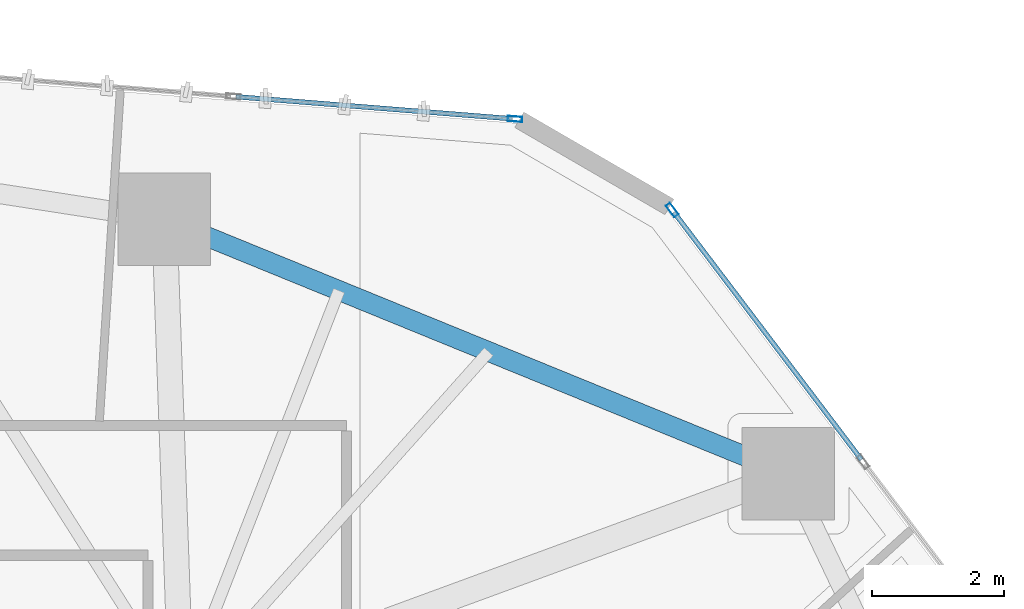
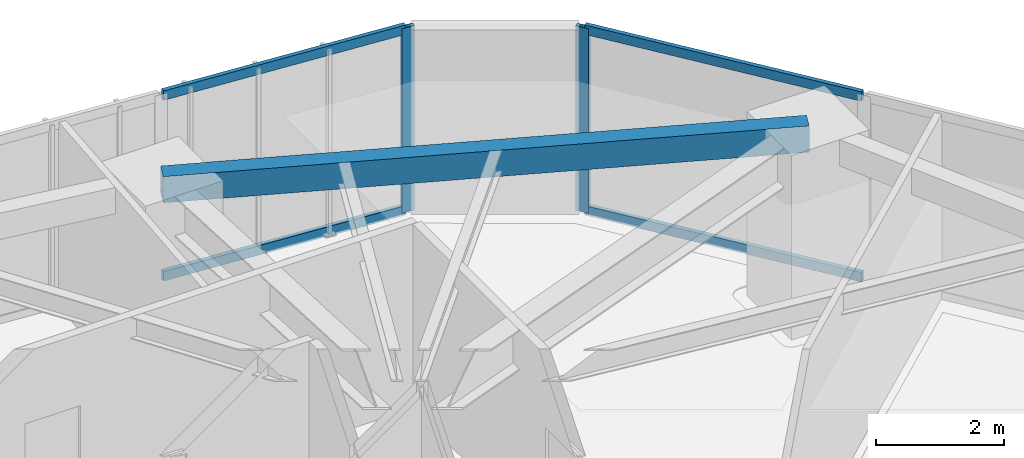
# One storey, part 16 of 23: 6 members, 1 beam, 2 elements without a shape of their own.
"""IFC4 building model written with IfcOpenShell, lengths in metres."""

from ifc_helpers import new_model, si_unit, direction, frame, origin, origin_2d, place, context, subcontext, project, spatial, hollow_rectangle, extrude, source, transform, mapped, material, layer, layer_set, material_profile, profile_set, type_object, type_shapes, element, aggregate, save


model = new_model("IFC4")

# Units and contexts
model_context = context("Model", 3, precision=1e-05, world=origin(), true_north=direction((0.0, 1.0)))
body_context = subcontext(model_context, "Body", "Model", "MODEL_VIEW")
ifc_project = project(units=[si_unit("LENGTHUNIT", "METRE"), si_unit("AREAUNIT", "SQUARE_METRE"), si_unit("VOLUMEUNIT", "CUBIC_METRE"), si_unit("PLANEANGLEUNIT", "RADIAN"), si_unit("MASSUNIT", "GRAM", prefix="KILO")], contexts=[model_context])

# Site, building, storey
site_placement = place(None, origin())
site = spatial("IfcSite", under=ifc_project, at=site_placement, CompositionType="ELEMENT")
building_placement = place(site_placement, origin())
building = spatial("IfcBuilding", under=site, at=building_placement, Name="Talar Marvaseh", CompositionType="ELEMENT")
storey_placement = place(building_placement, frame((0.0, 0.0, 77.199951171875)))
storey = spatial("IfcBuildingStorey", under=building, at=storey_placement, Name="L19", CompositionType="ELEMENT", Elevation=77.199951171875)

# Beam
ifc_material_1 = material(Name="Steel S355", Category="steel")
ifc_material_profile_1 = material_profile(ifc_material_1, hollow_rectangle(XDim=0.300048828125, YDim=0.5, WallThickness=0.02001953125, at=origin_2d()), Name="RHS500x300x20")
ifc_profile_set_1 = profile_set([ifc_material_profile_1], Name="Steel S355")
beam_type = type_object("IfcBeamType", Name="Zone 1 Perimeter Spandrel Beam RHS500x300x20", PredefinedType="SPANDREL", material=ifc_profile_set_1)
beam_placement = place(storey_placement, frame((33.0458984375, 44.117919921875, 3.27001953125), z_axis=(0.92586732306, -0.377848779395, 0.0), x_axis=(0.377848779395, 0.92586732306, 0.0)))
element("IfcBeam", 1, at=beam_placement, inside=storey, type_object=beam_type, Name="L19 Zone 1 Perimeter Spandrel Beam RHS500x300x20", PredefinedType="SPANDREL", context=body_context, shape_type="SweptSolid", body=[
    extrude(hollow_rectangle(XDim=0.300048828125, YDim=0.5, WallThickness=0.02001953125, at=origin_2d()), origin(), (0.0, 0.0, 1.0), 10.186279296875),
])

# Curtain wall, member
ifc_material_2 = material(Name="Architectural Aluminium", Category="aluminium")
ifc_layer = layer(ifc_material_2, 0.219970703125)
ifc_layer_set = layer_set([ifc_layer], Name="Architectural Aluminium")
curtain_wall_type = type_object("IfcCurtainWallType", Name="Unitised Low-E Museum Curtain Wall Z1", PredefinedType="NOTDEFINED", material=ifc_layer_set)
curtain_wall_1_placement = place(storey_placement, origin())
curtain_wall_1 = element("IfcCurtainWall", 2, at=curtain_wall_1_placement, inside=storey, type_object=curtain_wall_type, Name="L19 Unitised Low-E Museum Curtain Wall Z1", PredefinedType="NOTDEFINED")
ifc_material_profile_2 = material_profile(ifc_material_2, hollow_rectangle(XDim=0.080078125, YDim=0.219970703125, WallThickness=0.0048828125, at=origin_2d()), Name="RHS220x80x5")
ifc_profile_set_2 = profile_set([ifc_material_profile_2], Name="Architectural Aluminium")
member_type_1 = type_object("IfcMemberType", Name="Unitised Curtain Wall Heavy Mullion RHS220x80x5", PredefinedType="MULLION", material=ifc_profile_set_2)
shared_shape_1 = source(origin(), body_context, "Body", "SweptSolid", [
    extrude(hollow_rectangle(XDim=0.080078125, YDim=0.219970703125, WallThickness=0.0048828125, at=origin_2d()), origin(), (0.0, 0.0, 1.0), 3.52001953125),
])
type_shapes(member_type_1, [shared_shape_1])
member_1_placement = place(storey_placement, frame((38.346435546875, 45.632568359375, 0.0), z_axis=(0.0, 0.0, 1.0), x_axis=(0.079640140412, 0.996823679512, 0.0)))
member_1 = element("IfcMember", 3, at=member_1_placement, type_object=member_type_1, Name="CW-Z1 mullion 5", PredefinedType="MULLION", context=body_context, shape_type="MappedRepresentation", body=[
    mapped(shared_shape_1, transform((0.0, 0.0, 0.0), x_axis=(1.0, 0.0, 0.0), y_axis=(0.0, 1.0, 0.0), z_axis=(0.0, 0.0, 1.0), scale=1.0)),
])

# Curtain wall, members
curtain_wall_2_placement = place(storey_placement, origin())
curtain_wall_2 = element("IfcCurtainWall", 4, at=curtain_wall_2_placement, inside=storey, type_object=curtain_wall_type, Name="L19 Unitised Low-E Museum Curtain Wall Z1", PredefinedType="NOTDEFINED")
member_2_placement = place(storey_placement, frame((40.722412109375, 44.257080078125, 0.0), z_axis=(0.0, 0.0, 1.0), x_axis=(0.797015451758, 0.603958913884, 0.0)))
member_2 = element("IfcMember", 5, at=member_2_placement, type_object=member_type_1, Name="CW-Z1 mullion 1", PredefinedType="MULLION", context=body_context, shape_type="MappedRepresentation", body=[
    mapped(shared_shape_1, transform((0.0, 0.0, 0.0), x_axis=(1.0, 0.0, 0.0), y_axis=(0.0, 1.0, 0.0), z_axis=(0.0, 0.0, 1.0), scale=1.0)),
])
ifc_material_profile_3 = material_profile(ifc_material_2, hollow_rectangle(XDim=0.074951171875, YDim=0.179931640625, WallThickness=0.0048828125, at=origin_2d()), Name="RHS180x75x5")
ifc_profile_set_3 = profile_set([ifc_material_profile_3], Name="Architectural Aluminium")
member_type_2 = type_object("IfcMemberType", Name="Unitised Curtain Wall Transom RHS180x75x5", PredefinedType="USERDEFINED", material=ifc_profile_set_3)
shared_shape_2 = source(origin(), body_context, "Body", "SweptSolid", [
    extrude(hollow_rectangle(XDim=0.074951171875, YDim=0.179931640625, WallThickness=0.0048828125, at=origin_2d()), origin(), (0.0, 0.0, 1.0), 4.696533203125),
])
member_3_placement = place(storey_placement, frame((40.74658203125, 44.225341796875, 0.03759765625), z_axis=(0.603926742315, -0.797039829567, 0.0), x_axis=(0.797039829567, 0.603926742315, 0.0)))
member_3 = element("IfcMember", 6, at=member_3_placement, type_object=member_type_2, Name="CW-Z1 transom 1.1", ObjectType="TRANSOM", PredefinedType="USERDEFINED", context=body_context, shape_type="MappedRepresentation", body=[
    mapped(shared_shape_2, transform((0.0, 0.0, 0.0), x_axis=(1.0, 0.0, 0.0), y_axis=(0.0, 1.0, 0.0), z_axis=(0.0, 0.0, 1.0), scale=1.0)),
])
member_4_placement = place(storey_placement, frame((40.74658203125, 44.225341796875, 3.482666015625), z_axis=(0.603926742315, -0.797039829567, 0.0), x_axis=(0.797039829567, 0.603926742315, 0.0)))
member_4 = element("IfcMember", 7, at=member_4_placement, type_object=member_type_2, Name="CW-Z1 transom 1.2", ObjectType="TRANSOM", PredefinedType="USERDEFINED", context=body_context, shape_type="MappedRepresentation", body=[
    mapped(shared_shape_2, transform((0.0, 0.0, 0.0), x_axis=(1.0, 0.0, 0.0), y_axis=(0.0, 1.0, 0.0), z_axis=(0.0, 0.0, 1.0), scale=1.0)),
])
aggregate(curtain_wall_2, [member_2, member_3, member_4])

# Member
shared_shape_3 = source(origin(), body_context, "Body", "SweptSolid", [
    extrude(hollow_rectangle(XDim=0.074951171875, YDim=0.179931640625, WallThickness=0.0048828125, at=origin_2d()), origin(), (0.0, 0.0, 1.0), 4.192138671875),
])
type_shapes(member_type_2, [shared_shape_2, shared_shape_3])
member_5_placement = place(storey_placement, frame((34.1279296875, 45.969482421875, 0.03759765625), z_axis=(0.996825825119, -0.079613280144, 0.0), x_axis=(0.079613280144, 0.996825825119, 0.0)))
member_5 = element("IfcMember", 8, at=member_5_placement, type_object=member_type_2, Name="CW-Z1 transom 4.1", ObjectType="TRANSOM", PredefinedType="USERDEFINED", context=body_context, shape_type="MappedRepresentation", body=[
    mapped(shared_shape_3, transform((0.0, 0.0, 0.0), x_axis=(1.0, 0.0, 0.0), y_axis=(0.0, 1.0, 0.0), z_axis=(0.0, 0.0, 1.0), scale=1.0)),
])

member_6_placement = place(storey_placement, frame((34.1279296875, 45.969482421875, 3.482666015625), z_axis=(0.996825825119, -0.079613280144, 0.0), x_axis=(0.079613280144, 0.996825825119, 0.0)))
member_6 = element("IfcMember", 9, at=member_6_placement, type_object=member_type_2, Name="CW-Z1 transom 4.2", ObjectType="TRANSOM", PredefinedType="USERDEFINED", context=body_context, shape_type="MappedRepresentation", body=[
    mapped(shared_shape_3, transform((0.0, 0.0, 0.0), x_axis=(1.0, 0.0, 0.0), y_axis=(0.0, 1.0, 0.0), z_axis=(0.0, 0.0, 1.0), scale=1.0)),
])

aggregate(curtain_wall_1, [member_1, member_5, member_6])

save(model, "model.ifc")
